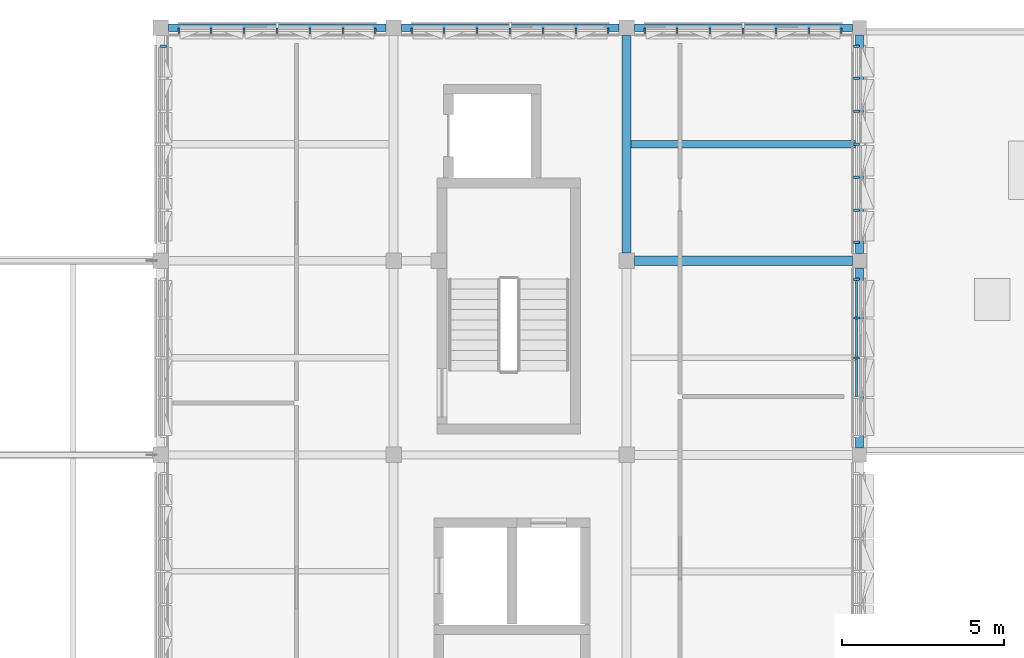
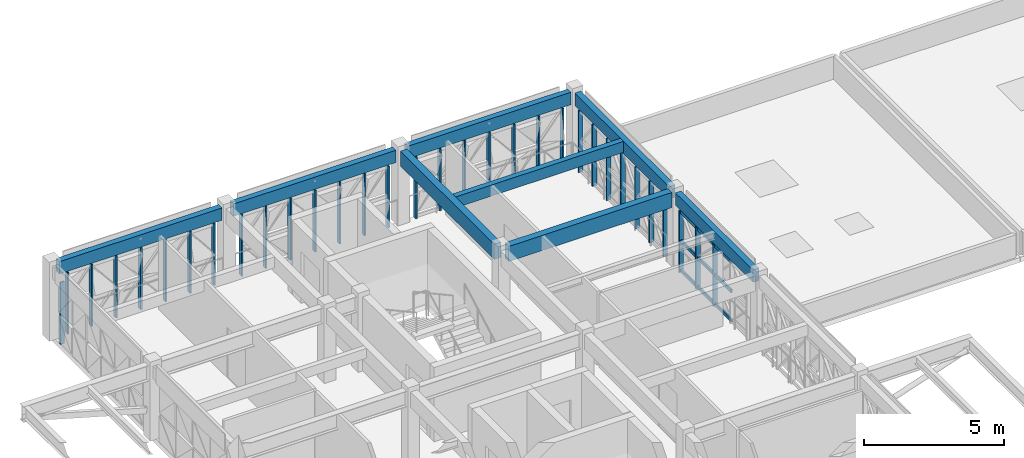
# One storey, part 6 of 30: 41 members, 8 beams, 6 elements without a shape of their own.
"""IFC4 building model written with IfcOpenShell, lengths in metres."""

from ifc_helpers import new_model, si_unit, direction, frame, origin, origin_2d, place, context, subcontext, project, spatial, rectangle, extrude, material, material_profile, profile_set, type_object, element, aggregate, save


model = new_model("IFC4")

# Units and contexts
model_context = context("Model", 3, precision=1e-05, world=origin(), true_north=direction((0.0, 1.0)))
body_context = subcontext(model_context, "Body", "Model", "MODEL_VIEW")
ifc_project = project(units=[si_unit("LENGTHUNIT", "METRE"), si_unit("AREAUNIT", "SQUARE_METRE"), si_unit("VOLUMEUNIT", "CUBIC_METRE"), si_unit("PLANEANGLEUNIT", "RADIAN"), si_unit("MASSUNIT", "GRAM", prefix="KILO")], contexts=[model_context])

# Site, building, storey
site_placement = place(None, origin())
site = spatial("IfcSite", under=ifc_project, at=site_placement, CompositionType="ELEMENT")
building_placement = place(site_placement, origin())
building = spatial("IfcBuilding", under=site, at=building_placement, Name="Alvorim Cloister Faculty of Sciences", CompositionType="ELEMENT")
storey_placement = place(building_placement, frame((0.0, 0.0, 26.25)))
storey = spatial("IfcBuildingStorey", under=building, at=storey_placement, Name="L07", CompositionType="ELEMENT", Elevation=26.25)

# Beams
ifc_material_1 = material(Name="Glulam GL28h", Category="wood")
ifc_material_profile_1 = material_profile(ifc_material_1, rectangle(XDim=0.280029296875, YDim=0.659912109375, at=origin_2d()), Name="GL28-BM-280x660")
ifc_profile_set_1 = profile_set([ifc_material_profile_1], Name="Glulam GL28h")
beam_type_1 = type_object("IfcBeamType", Name="BM-GL-280x660", PredefinedType="BEAM", material=ifc_profile_set_1)
beam_1_placement = place(storey_placement, frame((21.840087890625, 49.199951171875, 2.909912109375), z_axis=(1.0, 0.0, 0.0), x_axis=(0.0, 1.0, 0.0)))
element("IfcBeam", 1, at=beam_1_placement, inside=storey, type_object=beam_type_1, Name="L07 Primary Beam BM-2122", PredefinedType="BEAM", context=body_context, shape_type="SweptSolid", body=[
    extrude(rectangle(XDim=0.280029296875, YDim=0.659912109375, at=origin_2d()), origin(), (0.0, 0.0, 1.0), 6.739990234375),
])
beam_2_placement = place(storey_placement, frame((21.60009765625, 49.43994140625, 2.909912109375), z_axis=(0.0, 1.0, 0.0), x_axis=(-1.0, 0.0, 0.0)))
element("IfcBeam", 2, at=beam_2_placement, inside=storey, type_object=beam_type_1, Name="L07 Primary Girder BM-2146", PredefinedType="BEAM", context=body_context, shape_type="SweptSolid", body=[
    extrude(rectangle(XDim=0.280029296875, YDim=0.659912109375, at=origin_2d()), origin(), (0.0, 0.0, 1.0), 6.719970703125),
])
ifc_material_profile_2 = material_profile(ifc_material_1, rectangle(XDim=0.219970703125, YDim=0.47998046875, at=origin_2d()), Name="GL28-JST-220x480")
ifc_profile_set_2 = profile_set([ifc_material_profile_2], Name="Glulam GL28h")
beam_type_2 = type_object("IfcBeamType", Name="BM-JST-GL-220x480", PredefinedType="JOIST", material=ifc_profile_set_2)
beam_3_placement = place(storey_placement, frame((21.739990234375, 52.800048828125, 3.0), z_axis=(1.0, 0.0, 0.0), x_axis=(0.0, 1.0, 0.0)))
element("IfcBeam", 3, at=beam_3_placement, inside=storey, type_object=beam_type_2, Name="L07 Secondary Floor Joist BM-2168", PredefinedType="JOIST", context=body_context, shape_type="SweptSolid", body=[
    extrude(rectangle(XDim=0.219970703125, YDim=0.47998046875, at=origin_2d()), origin(), (0.0, 0.0, 1.0), 6.93994140625),
])
ifc_material_profile_3 = material_profile(ifc_material_1, rectangle(XDim=0.239990234375, YDim=0.5400390625, at=origin_2d()), Name="GL28-SPD-240x540")
ifc_profile_set_3 = profile_set([ifc_material_profile_3], Name="Glulam GL28h")
beam_type_3 = type_object("IfcBeamType", Name="BM-SPD-GL-240x540", PredefinedType="SPANDREL", material=ifc_profile_set_3)
beam_4_placement = place(storey_placement, frame((7.43994140625, 56.39990234375, 2.969970703125), z_axis=(1.0, 0.0, 0.0), x_axis=(0.0, 1.0, 0.0)))
element("IfcBeam", 4, at=beam_4_placement, inside=storey, type_object=beam_type_3, Name="L07 Primary Beam BM-2123", PredefinedType="SPANDREL", context=body_context, shape_type="SweptSolid", body=[
    extrude(rectangle(XDim=0.239990234375, YDim=0.5400390625, at=origin_2d()), origin(), (0.0, 0.0, 1.0), 6.719970703125),
])
beam_5_placement = place(storey_placement, frame((14.639892578125, 56.39990234375, 2.969970703125), z_axis=(1.0, 0.0, 0.0), x_axis=(0.0, 1.0, 0.0)))
element("IfcBeam", 5, at=beam_5_placement, inside=storey, type_object=beam_type_3, Name="L07 Primary Beam BM-2124", PredefinedType="SPANDREL", context=body_context, shape_type="SweptSolid", body=[
    extrude(rectangle(XDim=0.239990234375, YDim=0.5400390625, at=origin_2d()), origin(), (0.0, 0.0, 1.0), 6.72021484375),
])
beam_6_placement = place(storey_placement, frame((21.840087890625, 56.39990234375, 2.969970703125), z_axis=(1.0, 0.0, 0.0), x_axis=(0.0, 1.0, 0.0)))
element("IfcBeam", 6, at=beam_6_placement, inside=storey, type_object=beam_type_3, Name="L07 Primary Beam BM-2125", PredefinedType="SPANDREL", context=body_context, shape_type="SweptSolid", body=[
    extrude(rectangle(XDim=0.239990234375, YDim=0.5400390625, at=origin_2d()), origin(), (0.0, 0.0, 1.0), 6.739990234375),
])
beam_7_placement = place(storey_placement, frame((28.800048828125, 43.419921875, 2.969970703125), z_axis=(0.0, 1.0, 0.0), x_axis=(-1.0, 0.0, 0.0)))
element("IfcBeam", 7, at=beam_7_placement, inside=storey, type_object=beam_type_3, Name="L07 Primary Girder BM-2152", PredefinedType="SPANDREL", context=body_context, shape_type="SweptSolid", body=[
    extrude(rectangle(XDim=0.239990234375, YDim=0.5400390625, at=origin_2d()), origin(), (0.0, 0.0, 1.0), 5.56005859375),
])
beam_8_placement = place(storey_placement, frame((28.800048828125, 49.419921875, 2.969970703125), z_axis=(0.0, 1.0, 0.0), x_axis=(-1.0, 0.0, 0.0)))
element("IfcBeam", 8, at=beam_8_placement, inside=storey, type_object=beam_type_3, Name="L07 Primary Girder BM-2153", PredefinedType="SPANDREL", context=body_context, shape_type="SweptSolid", body=[
    extrude(rectangle(XDim=0.239990234375, YDim=0.5400390625, at=origin_2d()), origin(), (0.0, 0.0, 1.0), 6.760009765625),
])

# Curtain wall, member
ifc_material_2 = material(Name="Aluminium and Low-E Glass Curtain Wall", Category="aluminium")
curtain_wall_type_1 = type_object("IfcCurtainWallType", Name="CW-TRI-6120x2700", PredefinedType="USERDEFINED", material=ifc_material_2)
curtain_wall_1_placement = place(storey_placement, origin())
curtain_wall_1 = element("IfcCurtainWall", 9, at=curtain_wall_1_placement, inside=storey, type_object=curtain_wall_type_1, Name="L07 Diagonal Cassette Curtain Wall CW-0271", ObjectType="UNITISED CURTAIN WALL", PredefinedType="USERDEFINED")
ifc_material_3 = material(Name="Aluminium Alloy 6063-T6", Category="aluminium")
ifc_material_profile_4 = material_profile(ifc_material_3, rectangle(XDim=0.06494140625, YDim=0.179931640625, at=origin_2d()), Name="ALU-MUL-65x180")
ifc_profile_set_4 = profile_set([ifc_material_profile_4], Name="Aluminium Alloy 6063-T6")
member_type_1 = type_object("IfcMemberType", Name="CW-MUL-65x180", PredefinedType="MULLION", material=ifc_profile_set_4)
member_1_placement = place(storey_placement, frame((7.2900390625, 55.827392578125, 0.0), z_axis=(0.0, 0.0, 1.0), x_axis=(0.0, 1.0, 0.0)))
member_1 = element("IfcMember", 10, at=member_1_placement, type_object=member_type_1, Name="CW-0271 Mullion 7", PredefinedType="MULLION", context=body_context, shape_type="SweptSolid", body=[
    extrude(rectangle(XDim=0.06494140625, YDim=0.179931640625, at=origin_2d()), origin(), (0.0, 0.0, 1.0), 2.699951171875),
])
aggregate(curtain_wall_1, [member_1])

# Curtain wall, members
curtain_wall_2_placement = place(storey_placement, origin())
curtain_wall_2 = element("IfcCurtainWall", 11, at=curtain_wall_2_placement, inside=storey, type_object=curtain_wall_type_1, Name="L07 Diagonal Cassette Curtain Wall CW-0272", ObjectType="UNITISED CURTAIN WALL", PredefinedType="USERDEFINED")
member_2_placement = place(storey_placement, frame((7.7724609375, 56.31005859375, 0.0), z_axis=(0.0, 0.0, 1.0), x_axis=(1.0, 0.0, 0.0)))
member_2 = element("IfcMember", 12, at=member_2_placement, type_object=member_type_1, Name="CW-0272 Mullion 1", PredefinedType="MULLION", context=body_context, shape_type="SweptSolid", body=[
    extrude(rectangle(XDim=0.06494140625, YDim=0.179931640625, at=origin_2d()), origin(), (0.0, 0.0, 1.0), 2.699951171875),
])
member_3_placement = place(storey_placement, frame((8.760009765625, 56.31005859375, 0.0), z_axis=(0.0, 0.0, 1.0), x_axis=(1.0, 0.0, 0.0)))
member_3 = element("IfcMember", 13, at=member_3_placement, type_object=member_type_1, Name="CW-0272 Mullion 2", PredefinedType="MULLION", context=body_context, shape_type="SweptSolid", body=[
    extrude(rectangle(XDim=0.06494140625, YDim=0.179931640625, at=origin_2d()), origin(), (0.0, 0.0, 1.0), 2.699951171875),
])
member_4_placement = place(storey_placement, frame((9.780029296875, 56.31005859375, 0.0), z_axis=(0.0, 0.0, 1.0), x_axis=(1.0, 0.0, 0.0)))
member_4 = element("IfcMember", 14, at=member_4_placement, type_object=member_type_1, Name="CW-0272 Mullion 3", PredefinedType="MULLION", context=body_context, shape_type="SweptSolid", body=[
    extrude(rectangle(XDim=0.06494140625, YDim=0.179931640625, at=origin_2d()), origin(), (0.0, 0.0, 1.0), 2.699951171875),
])
member_5_placement = place(storey_placement, frame((10.800048828125, 56.31005859375, 0.0), z_axis=(0.0, 0.0, 1.0), x_axis=(1.0, 0.0, 0.0)))
member_5 = element("IfcMember", 15, at=member_5_placement, type_object=member_type_1, Name="CW-0272 Mullion 4", PredefinedType="MULLION", context=body_context, shape_type="SweptSolid", body=[
    extrude(rectangle(XDim=0.06494140625, YDim=0.179931640625, at=origin_2d()), origin(), (0.0, 0.0, 1.0), 2.699951171875),
])
member_6_placement = place(storey_placement, frame((11.820068359375, 56.31005859375, 0.0), z_axis=(0.0, 0.0, 1.0), x_axis=(1.0, 0.0, 0.0)))
member_6 = element("IfcMember", 16, at=member_6_placement, type_object=member_type_1, Name="CW-0272 Mullion 5", PredefinedType="MULLION", context=body_context, shape_type="SweptSolid", body=[
    extrude(rectangle(XDim=0.06494140625, YDim=0.179931640625, at=origin_2d()), origin(), (0.0, 0.0, 1.0), 2.699951171875),
])
member_7_placement = place(storey_placement, frame((12.840087890625, 56.31005859375, 0.0), z_axis=(0.0, 0.0, 1.0), x_axis=(1.0, 0.0, 0.0)))
member_7 = element("IfcMember", 17, at=member_7_placement, type_object=member_type_1, Name="CW-0272 Mullion 6", PredefinedType="MULLION", context=body_context, shape_type="SweptSolid", body=[
    extrude(rectangle(XDim=0.06494140625, YDim=0.179931640625, at=origin_2d()), origin(), (0.0, 0.0, 1.0), 2.699951171875),
])
member_8_placement = place(storey_placement, frame((13.827392578125, 56.31005859375, 0.0), z_axis=(0.0, 0.0, 1.0), x_axis=(1.0, 0.0, 0.0)))
member_8 = element("IfcMember", 18, at=member_8_placement, type_object=member_type_1, Name="CW-0272 Mullion 7", PredefinedType="MULLION", context=body_context, shape_type="SweptSolid", body=[
    extrude(rectangle(XDim=0.06494140625, YDim=0.179931640625, at=origin_2d()), origin(), (0.0, 0.0, 1.0), 2.699951171875),
])
aggregate(curtain_wall_2, [member_2, member_3, member_4, member_5, member_6, member_7, member_8])

curtain_wall_3_placement = place(storey_placement, origin())
curtain_wall_3 = element("IfcCurtainWall", 19, at=curtain_wall_3_placement, inside=storey, type_object=curtain_wall_type_1, Name="L07 Diagonal Cassette Curtain Wall CW-0273", ObjectType="UNITISED CURTAIN WALL", PredefinedType="USERDEFINED")
member_9_placement = place(storey_placement, frame((14.972412109375, 56.31005859375, 0.0), z_axis=(0.0, 0.0, 1.0), x_axis=(1.0, 0.0, 0.0)))
member_9 = element("IfcMember", 20, at=member_9_placement, type_object=member_type_1, Name="CW-0273 Mullion 1", PredefinedType="MULLION", context=body_context, shape_type="SweptSolid", body=[
    extrude(rectangle(XDim=0.06494140625, YDim=0.179931640625, at=origin_2d()), origin(), (0.0, 0.0, 1.0), 2.699951171875),
])
member_10_placement = place(storey_placement, frame((15.9599609375, 56.31005859375, 0.0), z_axis=(0.0, 0.0, 1.0), x_axis=(1.0, 0.0, 0.0)))
member_10 = element("IfcMember", 21, at=member_10_placement, type_object=member_type_1, Name="CW-0273 Mullion 2", PredefinedType="MULLION", context=body_context, shape_type="SweptSolid", body=[
    extrude(rectangle(XDim=0.06494140625, YDim=0.179931640625, at=origin_2d()), origin(), (0.0, 0.0, 1.0), 2.699951171875),
])
member_11_placement = place(storey_placement, frame((16.97998046875, 56.31005859375, 0.0), z_axis=(0.0, 0.0, 1.0), x_axis=(1.0, 0.0, 0.0)))
member_11 = element("IfcMember", 22, at=member_11_placement, type_object=member_type_1, Name="CW-0273 Mullion 3", PredefinedType="MULLION", context=body_context, shape_type="SweptSolid", body=[
    extrude(rectangle(XDim=0.06494140625, YDim=0.179931640625, at=origin_2d()), origin(), (0.0, 0.0, 1.0), 2.699951171875),
])
member_12_placement = place(storey_placement, frame((18.0, 56.31005859375, 0.0), z_axis=(0.0, 0.0, 1.0), x_axis=(1.0, 0.0, 0.0)))
member_12 = element("IfcMember", 23, at=member_12_placement, type_object=member_type_1, Name="CW-0273 Mullion 4", PredefinedType="MULLION", context=body_context, shape_type="SweptSolid", body=[
    extrude(rectangle(XDim=0.06494140625, YDim=0.179931640625, at=origin_2d()), origin(), (0.0, 0.0, 1.0), 2.699951171875),
])
member_13_placement = place(storey_placement, frame((19.02001953125, 56.31005859375, 0.0), z_axis=(0.0, 0.0, 1.0), x_axis=(1.0, 0.0, 0.0)))
member_13 = element("IfcMember", 24, at=member_13_placement, type_object=member_type_1, Name="CW-0273 Mullion 5", PredefinedType="MULLION", context=body_context, shape_type="SweptSolid", body=[
    extrude(rectangle(XDim=0.06494140625, YDim=0.179931640625, at=origin_2d()), origin(), (0.0, 0.0, 1.0), 2.699951171875),
])
member_14_placement = place(storey_placement, frame((20.0400390625, 56.31005859375, 0.0), z_axis=(0.0, 0.0, 1.0), x_axis=(1.0, 0.0, 0.0)))
member_14 = element("IfcMember", 25, at=member_14_placement, type_object=member_type_1, Name="CW-0273 Mullion 6", PredefinedType="MULLION", context=body_context, shape_type="SweptSolid", body=[
    extrude(rectangle(XDim=0.06494140625, YDim=0.179931640625, at=origin_2d()), origin(), (0.0, 0.0, 1.0), 2.699951171875),
])
member_15_placement = place(storey_placement, frame((21.027587890625, 56.31005859375, 0.0), z_axis=(0.0, 0.0, 1.0), x_axis=(1.0, 0.0, 0.0)))
member_15 = element("IfcMember", 26, at=member_15_placement, type_object=member_type_1, Name="CW-0273 Mullion 7", PredefinedType="MULLION", context=body_context, shape_type="SweptSolid", body=[
    extrude(rectangle(XDim=0.06494140625, YDim=0.179931640625, at=origin_2d()), origin(), (0.0, 0.0, 1.0), 2.699951171875),
])
aggregate(curtain_wall_3, [member_9, member_10, member_11, member_12, member_13, member_14, member_15])

curtain_wall_4_placement = place(storey_placement, origin())
curtain_wall_4 = element("IfcCurtainWall", 27, at=curtain_wall_4_placement, inside=storey, type_object=curtain_wall_type_1, Name="L07 Diagonal Cassette Curtain Wall CW-0274", ObjectType="UNITISED CURTAIN WALL", PredefinedType="USERDEFINED")
member_16_placement = place(storey_placement, frame((22.172607421875, 56.31005859375, 0.0), z_axis=(0.0, 0.0, 1.0), x_axis=(1.0, 0.0, 0.0)))
member_16 = element("IfcMember", 28, at=member_16_placement, type_object=member_type_1, Name="CW-0274 Mullion 1", PredefinedType="MULLION", context=body_context, shape_type="SweptSolid", body=[
    extrude(rectangle(XDim=0.06494140625, YDim=0.179931640625, at=origin_2d()), origin(), (0.0, 0.0, 1.0), 2.699951171875),
])
member_17_placement = place(storey_placement, frame((23.159912109375, 56.31005859375, 0.0), z_axis=(0.0, 0.0, 1.0), x_axis=(1.0, 0.0, 0.0)))
member_17 = element("IfcMember", 29, at=member_17_placement, type_object=member_type_1, Name="CW-0274 Mullion 2", PredefinedType="MULLION", context=body_context, shape_type="SweptSolid", body=[
    extrude(rectangle(XDim=0.06494140625, YDim=0.179931640625, at=origin_2d()), origin(), (0.0, 0.0, 1.0), 2.699951171875),
])
member_18_placement = place(storey_placement, frame((24.179931640625, 56.31005859375, 0.0), z_axis=(0.0, 0.0, 1.0), x_axis=(1.0, 0.0, 0.0)))
member_18 = element("IfcMember", 30, at=member_18_placement, type_object=member_type_1, Name="CW-0274 Mullion 3", PredefinedType="MULLION", context=body_context, shape_type="SweptSolid", body=[
    extrude(rectangle(XDim=0.06494140625, YDim=0.179931640625, at=origin_2d()), origin(), (0.0, 0.0, 1.0), 2.699951171875),
])
member_19_placement = place(storey_placement, frame((25.199951171875, 56.31005859375, 0.0), z_axis=(0.0, 0.0, 1.0), x_axis=(1.0, 0.0, 0.0)))
member_19 = element("IfcMember", 31, at=member_19_placement, type_object=member_type_1, Name="CW-0274 Mullion 4", PredefinedType="MULLION", context=body_context, shape_type="SweptSolid", body=[
    extrude(rectangle(XDim=0.06494140625, YDim=0.179931640625, at=origin_2d()), origin(), (0.0, 0.0, 1.0), 2.699951171875),
])
member_20_placement = place(storey_placement, frame((26.219970703125, 56.31005859375, 0.0), z_axis=(0.0, 0.0, 1.0), x_axis=(1.0, 0.0, 0.0)))
member_20 = element("IfcMember", 32, at=member_20_placement, type_object=member_type_1, Name="CW-0274 Mullion 5", PredefinedType="MULLION", context=body_context, shape_type="SweptSolid", body=[
    extrude(rectangle(XDim=0.06494140625, YDim=0.179931640625, at=origin_2d()), origin(), (0.0, 0.0, 1.0), 2.699951171875),
])
member_21_placement = place(storey_placement, frame((27.239990234375, 56.31005859375, 0.0), z_axis=(0.0, 0.0, 1.0), x_axis=(1.0, 0.0, 0.0)))
member_21 = element("IfcMember", 33, at=member_21_placement, type_object=member_type_1, Name="CW-0274 Mullion 6", PredefinedType="MULLION", context=body_context, shape_type="SweptSolid", body=[
    extrude(rectangle(XDim=0.06494140625, YDim=0.179931640625, at=origin_2d()), origin(), (0.0, 0.0, 1.0), 2.699951171875),
])
member_22_placement = place(storey_placement, frame((28.2275390625, 56.31005859375, 0.0), z_axis=(0.0, 0.0, 1.0), x_axis=(1.0, 0.0, 0.0)))
member_22 = element("IfcMember", 34, at=member_22_placement, type_object=member_type_1, Name="CW-0274 Mullion 7", PredefinedType="MULLION", context=body_context, shape_type="SweptSolid", body=[
    extrude(rectangle(XDim=0.06494140625, YDim=0.179931640625, at=origin_2d()), origin(), (0.0, 0.0, 1.0), 2.699951171875),
])
aggregate(curtain_wall_4, [member_16, member_17, member_18, member_19, member_20, member_21, member_22])

curtain_wall_5_placement = place(storey_placement, origin())
curtain_wall_5 = element("IfcCurtainWall", 35, at=curtain_wall_5_placement, inside=storey, type_object=curtain_wall_type_1, Name="L07 Diagonal Cassette Curtain Wall CW-0275", ObjectType="UNITISED CURTAIN WALL", PredefinedType="USERDEFINED")
member_23_placement = place(storey_placement, frame((28.7099609375, 49.7724609375, 0.0), z_axis=(0.0, 0.0, 1.0), x_axis=(0.0, 1.0, 0.0)))
member_23 = element("IfcMember", 36, at=member_23_placement, type_object=member_type_1, Name="CW-0275 Mullion 1", PredefinedType="MULLION", context=body_context, shape_type="SweptSolid", body=[
    extrude(rectangle(XDim=0.06494140625, YDim=0.179931640625, at=origin_2d()), origin(), (0.0, 0.0, 1.0), 2.699951171875),
])
member_24_placement = place(storey_placement, frame((28.7099609375, 50.760009765625, 0.0), z_axis=(0.0, 0.0, 1.0), x_axis=(0.0, 1.0, 0.0)))
member_24 = element("IfcMember", 37, at=member_24_placement, type_object=member_type_1, Name="CW-0275 Mullion 2", PredefinedType="MULLION", context=body_context, shape_type="SweptSolid", body=[
    extrude(rectangle(XDim=0.06494140625, YDim=0.179931640625, at=origin_2d()), origin(), (0.0, 0.0, 1.0), 2.699951171875),
])
member_25_placement = place(storey_placement, frame((28.7099609375, 51.780029296875, 0.0), z_axis=(0.0, 0.0, 1.0), x_axis=(0.0, 1.0, 0.0)))
member_25 = element("IfcMember", 38, at=member_25_placement, type_object=member_type_1, Name="CW-0275 Mullion 3", PredefinedType="MULLION", context=body_context, shape_type="SweptSolid", body=[
    extrude(rectangle(XDim=0.06494140625, YDim=0.179931640625, at=origin_2d()), origin(), (0.0, 0.0, 1.0), 2.699951171875),
])
member_26_placement = place(storey_placement, frame((28.7099609375, 52.800048828125, 0.0), z_axis=(0.0, 0.0, 1.0), x_axis=(0.0, 1.0, 0.0)))
member_26 = element("IfcMember", 39, at=member_26_placement, type_object=member_type_1, Name="CW-0275 Mullion 4", PredefinedType="MULLION", context=body_context, shape_type="SweptSolid", body=[
    extrude(rectangle(XDim=0.06494140625, YDim=0.179931640625, at=origin_2d()), origin(), (0.0, 0.0, 1.0), 2.699951171875),
])
member_27_placement = place(storey_placement, frame((28.7099609375, 53.820068359375, 0.0), z_axis=(0.0, 0.0, 1.0), x_axis=(0.0, 1.0, 0.0)))
member_27 = element("IfcMember", 40, at=member_27_placement, type_object=member_type_1, Name="CW-0275 Mullion 5", PredefinedType="MULLION", context=body_context, shape_type="SweptSolid", body=[
    extrude(rectangle(XDim=0.06494140625, YDim=0.179931640625, at=origin_2d()), origin(), (0.0, 0.0, 1.0), 2.699951171875),
])
member_28_placement = place(storey_placement, frame((28.7099609375, 54.840087890625, 0.0), z_axis=(0.0, 0.0, 1.0), x_axis=(0.0, 1.0, 0.0)))
member_28 = element("IfcMember", 41, at=member_28_placement, type_object=member_type_1, Name="CW-0275 Mullion 6", PredefinedType="MULLION", context=body_context, shape_type="SweptSolid", body=[
    extrude(rectangle(XDim=0.06494140625, YDim=0.179931640625, at=origin_2d()), origin(), (0.0, 0.0, 1.0), 2.699951171875),
])
member_29_placement = place(storey_placement, frame((28.7099609375, 55.827392578125, 0.0), z_axis=(0.0, 0.0, 1.0), x_axis=(0.0, 1.0, 0.0)))
member_29 = element("IfcMember", 42, at=member_29_placement, type_object=member_type_1, Name="CW-0275 Mullion 7", PredefinedType="MULLION", context=body_context, shape_type="SweptSolid", body=[
    extrude(rectangle(XDim=0.06494140625, YDim=0.179931640625, at=origin_2d()), origin(), (0.0, 0.0, 1.0), 2.699951171875),
])
aggregate(curtain_wall_5, [member_23, member_24, member_25, member_26, member_27, member_28, member_29])

curtain_wall_type_2 = type_object("IfcCurtainWallType", Name="CW-TRI-4920x2700", PredefinedType="USERDEFINED", material=ifc_material_2)
curtain_wall_6_placement = place(storey_placement, origin())
curtain_wall_6 = element("IfcCurtainWall", 43, at=curtain_wall_6_placement, inside=storey, type_object=curtain_wall_type_2, Name="L07 Diagonal Cassette Curtain Wall CW-0276", ObjectType="UNITISED CURTAIN WALL", PredefinedType="USERDEFINED")
member_30_placement = place(storey_placement, frame((28.7099609375, 46.199951171875, 0.0), z_axis=(0.0, 0.0, 1.0), x_axis=(0.0, 1.0, 0.0)))
member_30 = element("IfcMember", 44, at=member_30_placement, type_object=member_type_1, Name="CW-0276 Mullion 3", PredefinedType="MULLION", context=body_context, shape_type="SweptSolid", body=[
    extrude(rectangle(XDim=0.06494140625, YDim=0.179931640625, at=origin_2d()), origin(), (0.0, 0.0, 1.0), 2.699951171875),
])
member_31_placement = place(storey_placement, frame((28.7099609375, 47.429931640625, 0.0), z_axis=(0.0, 0.0, 1.0), x_axis=(0.0, 1.0, 0.0)))
member_31 = element("IfcMember", 45, at=member_31_placement, type_object=member_type_1, Name="CW-0276 Mullion 4", PredefinedType="MULLION", context=body_context, shape_type="SweptSolid", body=[
    extrude(rectangle(XDim=0.06494140625, YDim=0.179931640625, at=origin_2d()), origin(), (0.0, 0.0, 1.0), 2.699951171875),
])
member_32_placement = place(storey_placement, frame((28.7099609375, 48.62744140625, 0.0), z_axis=(0.0, 0.0, 1.0), x_axis=(0.0, 1.0, 0.0)))
member_32 = element("IfcMember", 46, at=member_32_placement, type_object=member_type_1, Name="CW-0276 Mullion 5", PredefinedType="MULLION", context=body_context, shape_type="SweptSolid", body=[
    extrude(rectangle(XDim=0.06494140625, YDim=0.179931640625, at=origin_2d()), origin(), (0.0, 0.0, 1.0), 2.699951171875),
])
ifc_material_profile_5 = material_profile(ifc_material_3, rectangle(XDim=0.06494140625, YDim=0.139892578125, at=origin_2d()), Name="ALU-TRN-65x140")
ifc_profile_set_5 = profile_set([ifc_material_profile_5], Name="Aluminium Alloy 6063-T6")
member_type_2 = type_object("IfcMemberType", Name="CW-TRN-65x140", PredefinedType="USERDEFINED", material=ifc_profile_set_5)
member_33_placement = place(storey_placement, frame((28.7099609375, 45.00244140625, 0.070068359375), z_axis=(0.0, 1.0, 0.0), x_axis=(-1.0, 0.0, 0.0)))
member_33 = element("IfcMember", 47, at=member_33_placement, type_object=member_type_2, Name="CW-0276 Transom 2.1", ObjectType="TRANSOM", PredefinedType="USERDEFINED", context=body_context, shape_type="SweptSolid", body=[
    extrude(rectangle(XDim=0.06494140625, YDim=0.139892578125, at=origin_2d()), origin(), (0.0, 0.0, 1.0), 1.1650390625),
])
member_34_placement = place(storey_placement, frame((28.7099609375, 45.00244140625, 1.35009765625), z_axis=(0.0, 1.0, 0.0), x_axis=(-1.0, 0.0, 0.0)))
member_34 = element("IfcMember", 48, at=member_34_placement, type_object=member_type_2, Name="CW-0276 Transom 2.2", ObjectType="TRANSOM", PredefinedType="USERDEFINED", context=body_context, shape_type="SweptSolid", body=[
    extrude(rectangle(XDim=0.06494140625, YDim=0.139892578125, at=origin_2d()), origin(), (0.0, 0.0, 1.0), 1.1650390625),
])
member_35_placement = place(storey_placement, frame((28.7099609375, 45.00244140625, 2.6298828125), z_axis=(0.0, 1.0, 0.0), x_axis=(-1.0, 0.0, 0.0)))
member_35 = element("IfcMember", 49, at=member_35_placement, type_object=member_type_2, Name="CW-0276 Transom 2.3", ObjectType="TRANSOM", PredefinedType="USERDEFINED", context=body_context, shape_type="SweptSolid", body=[
    extrude(rectangle(XDim=0.06494140625, YDim=0.139892578125, at=origin_2d()), origin(), (0.0, 0.0, 1.0), 1.1650390625),
])
member_36_placement = place(storey_placement, frame((28.7099609375, 46.232421875, 0.070068359375), z_axis=(0.0, 1.0, 0.0), x_axis=(-1.0, 0.0, 0.0)))
member_36 = element("IfcMember", 50, at=member_36_placement, type_object=member_type_2, Name="CW-0276 Transom 3.1", ObjectType="TRANSOM", PredefinedType="USERDEFINED", context=body_context, shape_type="SweptSolid", body=[
    extrude(rectangle(XDim=0.06494140625, YDim=0.139892578125, at=origin_2d()), origin(), (0.0, 0.0, 1.0), 1.1650390625),
])
member_37_placement = place(storey_placement, frame((28.7099609375, 46.232421875, 1.35009765625), z_axis=(0.0, 1.0, 0.0), x_axis=(-1.0, 0.0, 0.0)))
member_37 = element("IfcMember", 51, at=member_37_placement, type_object=member_type_2, Name="CW-0276 Transom 3.2", ObjectType="TRANSOM", PredefinedType="USERDEFINED", context=body_context, shape_type="SweptSolid", body=[
    extrude(rectangle(XDim=0.06494140625, YDim=0.139892578125, at=origin_2d()), origin(), (0.0, 0.0, 1.0), 1.1650390625),
])
member_38_placement = place(storey_placement, frame((28.7099609375, 46.232421875, 2.6298828125), z_axis=(0.0, 1.0, 0.0), x_axis=(-1.0, 0.0, 0.0)))
member_38 = element("IfcMember", 52, at=member_38_placement, type_object=member_type_2, Name="CW-0276 Transom 3.3", ObjectType="TRANSOM", PredefinedType="USERDEFINED", context=body_context, shape_type="SweptSolid", body=[
    extrude(rectangle(XDim=0.06494140625, YDim=0.139892578125, at=origin_2d()), origin(), (0.0, 0.0, 1.0), 1.1650390625),
])
member_39_placement = place(storey_placement, frame((28.7099609375, 47.46240234375, 0.070068359375), z_axis=(0.0, 1.0, 0.0), x_axis=(-1.0, 0.0, 0.0)))
member_39 = element("IfcMember", 53, at=member_39_placement, type_object=member_type_2, Name="CW-0276 Transom 4.1", ObjectType="TRANSOM", PredefinedType="USERDEFINED", context=body_context, shape_type="SweptSolid", body=[
    extrude(rectangle(XDim=0.06494140625, YDim=0.139892578125, at=origin_2d()), origin(), (0.0, 0.0, 1.0), 1.132568359375),
])
member_40_placement = place(storey_placement, frame((28.7099609375, 47.46240234375, 1.35009765625), z_axis=(0.0, 1.0, 0.0), x_axis=(-1.0, 0.0, 0.0)))
member_40 = element("IfcMember", 54, at=member_40_placement, type_object=member_type_2, Name="CW-0276 Transom 4.2", ObjectType="TRANSOM", PredefinedType="USERDEFINED", context=body_context, shape_type="SweptSolid", body=[
    extrude(rectangle(XDim=0.06494140625, YDim=0.139892578125, at=origin_2d()), origin(), (0.0, 0.0, 1.0), 1.132568359375),
])
member_41_placement = place(storey_placement, frame((28.7099609375, 47.46240234375, 2.6298828125), z_axis=(0.0, 1.0, 0.0), x_axis=(-1.0, 0.0, 0.0)))
member_41 = element("IfcMember", 55, at=member_41_placement, type_object=member_type_2, Name="CW-0276 Transom 4.3", ObjectType="TRANSOM", PredefinedType="USERDEFINED", context=body_context, shape_type="SweptSolid", body=[
    extrude(rectangle(XDim=0.06494140625, YDim=0.139892578125, at=origin_2d()), origin(), (0.0, 0.0, 1.0), 1.132568359375),
])
aggregate(curtain_wall_6, [member_30, member_31, member_32, member_33, member_34, member_35, member_36, member_37, member_38, member_39, member_40, member_41])

save(model, "model.ifc")
